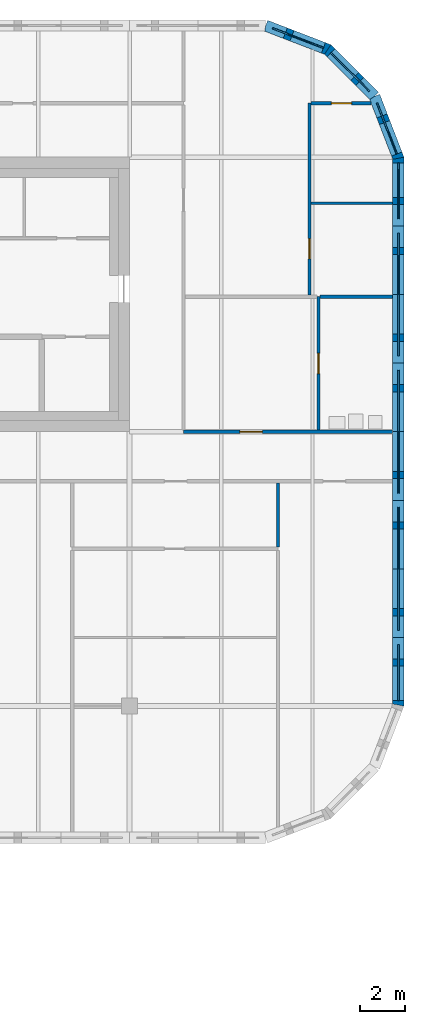
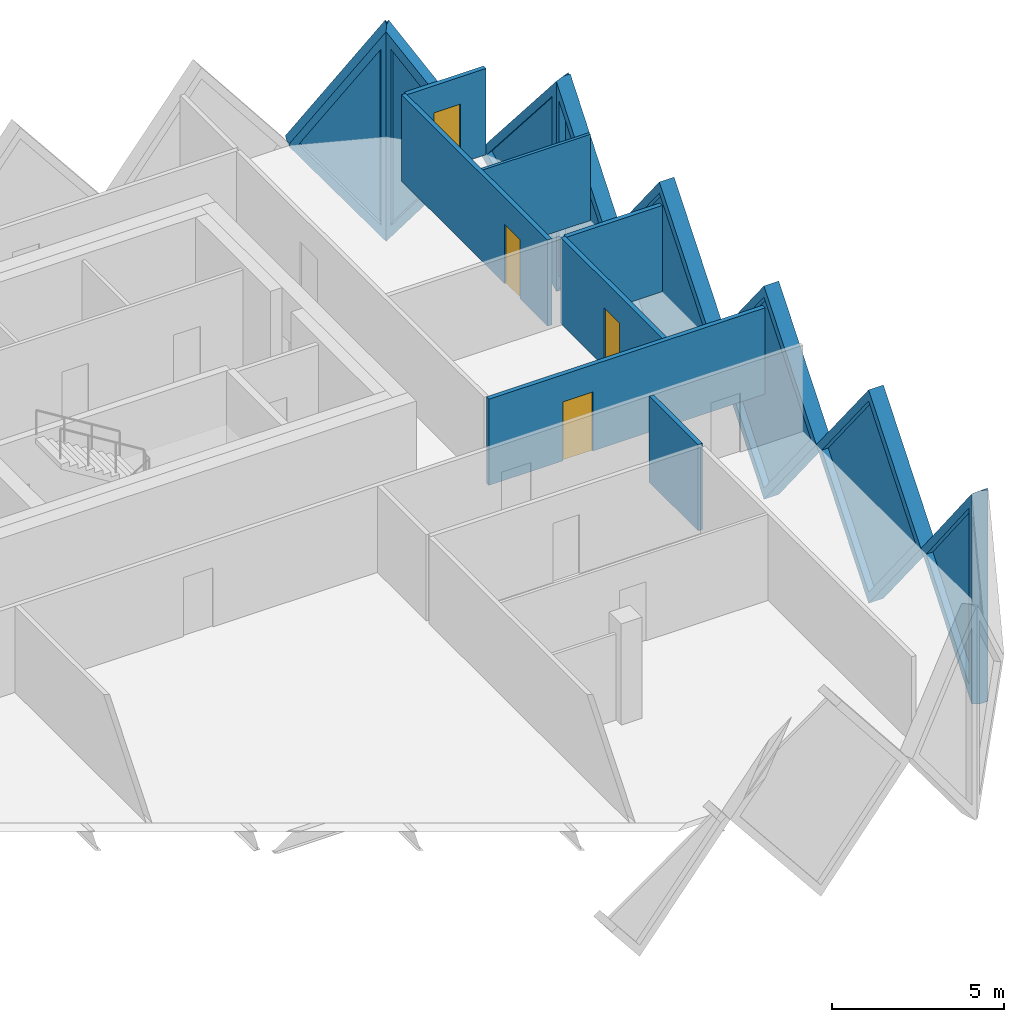
# One storey, part 15 of 19: 15 walls, 8 plates, 4 doors, 12 openings.
"""IFC4 building model written with IfcOpenShell, lengths in metres."""

import ifcopenshell
import ifcopenshell.guid

model = None  # the IFC model being written
_history = None  # IfcOwnerHistory: only IFC2X3 demands one
_inside = {}  # id of a spatial element -> (the spatial element, [elements in it])
_under = {}  # id of a project, library or spatial element -> (it, [spatial elements below it])
_declared = {}  # id of a project -> (the project, [libraries it declares])
_typed = {}  # id of a type object -> (the type object, [elements of that type])
_made_of = {}  # id of a material, layer set ... -> (it, [elements and type objects made of it])


def new_model(schema):
    """Start an empty IFC model of exactly this schema.

    Asked for "IFC4X3", IfcOpenShell would pick the latest addendum, in which some entities
    have other attributes; the version numbers below select the first issue.
    IFC2X3 requires an IfcOwnerHistory on every rooted entity: one is made here for all.
    """
    global model, _history
    if schema == "IFC4X3":
        model = ifcopenshell.file(schema_version=(4, 3, 0, 0))
    else:
        model = ifcopenshell.file(schema=schema)
    _inside.clear()
    _under.clear()
    _declared.clear()
    _typed.clear()
    _made_of.clear()
    _history = None
    if model.schema == "IFC2X3":
        org = make("IfcOrganization", Name="unknown")
        user = make(
            "IfcPersonAndOrganization",
            ThePerson=make("IfcPerson", FamilyName="unknown"),
            TheOrganization=org,
        )
        app = make(
            "IfcApplication",
            ApplicationDeveloper=org,
            Version="unknown",
            ApplicationFullName="unknown",
            ApplicationIdentifier="unknown",
        )
        _history = make(
            "IfcOwnerHistory",
            OwningUser=user,
            OwningApplication=app,
            ChangeAction="ADDED",
            CreationDate=0,
        )
    return model


def make(cls, **values):
    """One entity of the class cls with the attributes given. An attribute that is None is left unset."""
    return model.create_entity(
        cls, **{name: value for name, value in values.items() if value is not None}
    )


def rooted(cls, **values):
    """An entity with a GlobalId (a new one), such as an element, a storey or a relation."""
    return make(cls, GlobalId=ifcopenshell.guid.new(), OwnerHistory=_history, **values)


def si_unit(unit_type, name, prefix=None):
    """IfcSIUnit, for example si_unit("LENGTHUNIT", "METRE", prefix="MILLI")."""
    return make("IfcSIUnit", UnitType=unit_type, Prefix=prefix, Name=name)


def assignment(units):
    """IfcUnitAssignment: the units of a project."""
    return None if units is None else make("IfcUnitAssignment", Units=units)


def point(xyz):
    """IfcCartesianPoint."""
    return None if xyz is None else make("IfcCartesianPoint", Coordinates=xyz)


def direction(xyz):
    """IfcDirection."""
    return None if xyz is None else make("IfcDirection", DirectionRatios=xyz)


def frame(location, z_axis=None, x_axis=None):
    """IfcAxis2Placement3D, a coordinate frame: its origin and axes. An axis left out is left unset."""
    return make(
        "IfcAxis2Placement3D",
        Location=point(location),
        Axis=direction(z_axis),
        RefDirection=direction(x_axis),
    )


def frame_2d(location, x_axis=None):
    """IfcAxis2Placement2D, a coordinate frame in the plane: its origin and x axis."""
    return make(
        "IfcAxis2Placement2D", Location=point(location), RefDirection=direction(x_axis)
    )


def origin():
    """The frame at (0, 0, 0) with its axes left unset."""
    return frame((0.0, 0.0, 0.0))


def place(relative_to, where):
    """IfcLocalPlacement: puts the frame where relative to a parent placement (None: the world)."""
    return make(
        "IfcLocalPlacement", PlacementRelTo=relative_to, RelativePlacement=where
    )


def context(
    kind, dimensions, precision=None, world=None, true_north=None, identifier=None
):
    """IfcGeometricRepresentationContext, for example the 3D "Model" context."""
    return make(
        "IfcGeometricRepresentationContext",
        ContextIdentifier=identifier,
        ContextType=kind,
        CoordinateSpaceDimension=dimensions,
        Precision=precision,
        WorldCoordinateSystem=world,
        TrueNorth=true_north,
    )


def subcontext(parent, identifier, kind, view, scale=None):
    """IfcGeometricRepresentationSubContext, for example "Body" below "Model"."""
    return make(
        "IfcGeometricRepresentationSubContext",
        ContextIdentifier=identifier,
        ContextType=kind,
        ParentContext=parent,
        TargetScale=scale,
        TargetView=view,
    )


def project(units=None, contexts=None):
    """IfcProject with its units and contexts."""
    return rooted(
        "IfcProject",
        Name="project",
        RepresentationContexts=contexts,
        UnitsInContext=assignment(units),
    )


def spatial(cls, under=None, at=None, **own):
    """A site, building, storey or space (cls), placed at a placement, below another one or the project."""
    s = rooted(cls, ObjectPlacement=at, **own)
    if under is not None:
        _under.setdefault(under.id(), (under, []))[1].append(s)
    return s


def polyline(points):
    """IfcPolyline through the points."""
    return make("IfcPolyline", Points=[point(p) for p in points])


def profile(cls, at=None, kind="AREA", **sizes):
    """A parametric profile (cls). Its sizes go by their IFC names, for example OverallWidth=200.0."""
    return make(cls, ProfileType=kind, Position=at, **sizes)


def rectangle(**sizes):
    """IfcRectangleProfileDef."""
    return profile("IfcRectangleProfileDef", **sizes)


def outline(outer, holes=None, kind="AREA"):
    """IfcArbitraryClosedProfileDef: a profile drawn as a closed curve; with holes, ...WithVoids."""
    if holes is None:
        return make("IfcArbitraryClosedProfileDef", ProfileType=kind, OuterCurve=outer)
    return make(
        "IfcArbitraryProfileDefWithVoids",
        ProfileType=kind,
        OuterCurve=outer,
        InnerCurves=holes,
    )


def extrude(swept, where, along, depth):
    """IfcExtrudedAreaSolid: the profile swept, set in the frame where, extruded along a direction by depth."""
    return make(
        "IfcExtrudedAreaSolid",
        SweptArea=swept,
        Position=where,
        ExtrudedDirection=direction(along),
        Depth=depth,
    )


def faces_of(points, faces, orient=None, outer=None):
    """IfcFace entities. A face is a list of loops; a loop is a list of indices into points, from 0.

    orient and outer hold one flag for each loop. By default every Orientation is true, the
    first loop of a face is its IfcFaceOuterBound and the others are IfcFaceBound.
    """
    made = []
    for i, loops in enumerate(faces):
        bounds = []
        for j, loop in enumerate(loops):
            is_outer = j == 0 if outer is None else outer[i][j]
            bounds.append(
                make(
                    "IfcFaceOuterBound" if is_outer else "IfcFaceBound",
                    Bound=make("IfcPolyLoop", Polygon=[points[k] for k in loop]),
                    Orientation=True if orient is None else orient[i][j],
                )
            )
        made.append(make("IfcFace", Bounds=bounds))
    return made


def faceted_brep(points, faces, orient=None, outer=None, voids=None):
    """IfcFacetedBrep: a solid bounded by flat faces; with voids (closed shells), ...WithVoids."""
    shared = [point(p) for p in points]
    hull = make("IfcClosedShell", CfsFaces=faces_of(shared, faces, orient, outer))
    if voids is None:
        return make("IfcFacetedBrep", Outer=hull)
    return make(
        "IfcFacetedBrepWithVoids",
        Outer=hull,
        Voids=[
            make(cls, CfsFaces=faces_of(shared, fs, o, b)) for cls, fs, o, b in voids
        ],
    )


def shape(context_of_items, identifier, shape_type, items):
    """IfcShapeRepresentation: the items that make up one representation, for example the "Body"."""
    return make(
        "IfcShapeRepresentation",
        ContextOfItems=context_of_items,
        RepresentationIdentifier=identifier,
        RepresentationType=shape_type,
        Items=items,
    )


def source(mapping_origin, context_of_items, identifier, shape_type, items):
    """IfcRepresentationMap: a shape defined once, which mapped items show again and again."""
    return make(
        "IfcRepresentationMap",
        MappingOrigin=mapping_origin,
        MappedRepresentation=shape(context_of_items, identifier, shape_type, items),
    )


def transform(
    local_origin,
    x_axis=None,
    y_axis=None,
    z_axis=None,
    scale=None,
    scale2=None,
    scale3=None,
    uniform=True,
):
    """IfcCartesianTransformationOperator3D, or its non-uniform kind. x_axis, y_axis, z_axis: its Axis1, 2, 3."""
    if uniform:
        return make(
            "IfcCartesianTransformationOperator3D",
            Axis1=direction(x_axis),
            Axis2=direction(y_axis),
            LocalOrigin=point(local_origin),
            Scale=scale,
            Axis3=direction(z_axis),
        )
    return make(
        "IfcCartesianTransformationOperator3DnonUniform",
        Axis1=direction(x_axis),
        Axis2=direction(y_axis),
        LocalOrigin=point(local_origin),
        Scale=scale,
        Axis3=direction(z_axis),
        Scale2=scale2,
        Scale3=scale3,
    )


def mapped(mapping_source, mapping_target):
    """IfcMappedItem: shows the shape of a source again, moved by a transform."""
    return make(
        "IfcMappedItem", MappingSource=mapping_source, MappingTarget=mapping_target
    )


def material(Name=None, Category=None):
    """IfcMaterial."""
    return make("IfcMaterial", Name=Name, Category=Category)


def layer(
    of_material, thickness, ventilated=None, Name=None, Category=None, Priority=None
):
    """IfcMaterialLayer: one layer of a wall or slab, of a material (None: an air gap)."""
    return make(
        "IfcMaterialLayer",
        Material=of_material,
        LayerThickness=thickness,
        IsVentilated=ventilated,
        Name=Name,
        Category=Category,
        Priority=Priority,
    )


def layer_set(layers, Name=None):
    """IfcMaterialLayerSet."""
    return make("IfcMaterialLayerSet", MaterialLayers=layers, LayerSetName=Name)


def made_of(thing, what):
    """Note that an element or type object is made of a material, layer set ...; save() writes the relation."""
    if what is not None:
        _made_of.setdefault(what.id(), (what, []))[1].append(thing)
    return thing


def type_object(cls, material=None, **own):
    """A type object (cls), such as IfcWallType, which elements share."""
    return made_of(rooted(cls, **own), material)


def element(
    cls,
    number,
    at=None,
    inside=None,
    cuts=None,
    type_object=None,
    material=None,
    context=None,
    identifier="Body",
    shape_type=None,
    held_by="IfcProductDefinitionShape",
    body=None,
    shapes=None,
    **own,
):
    """One element of the class cls, such as IfcWall. Its Tag is "e" and its number.

    at: its placement. inside: the storey or other place that contains it. cuts: it is an
    opening in that element (IfcRelVoidsElement). A single representation is given by context,
    identifier, shape_type and body (its items); several are given by shapes. held_by: the class
    of the entity that holds the representations. save() writes the other relations.
    """
    e = rooted(cls, Tag="e%d" % number, ObjectPlacement=at, **own)
    if body is not None:
        shapes = [shape(context, identifier, shape_type, body)]
    if shapes is not None:
        e.Representation = make(held_by, Representations=shapes)
    if inside is not None:
        _inside.setdefault(inside.id(), (inside, []))[1].append(e)
    if cuts is not None:
        rooted(
            "IfcRelVoidsElement", RelatingBuildingElement=cuts, RelatedOpeningElement=e
        )
    if type_object is not None:
        _typed.setdefault(type_object.id(), (type_object, []))[1].append(e)
    return made_of(e, material)


def fill(opening, filler):
    """IfcRelFillsElement: the door or window that sits in an opening."""
    return rooted(
        "IfcRelFillsElement",
        RelatingOpeningElement=opening,
        RelatedBuildingElement=filler,
    )


def aggregate(whole, parts):
    """IfcRelAggregates: a whole, such as a stair, and the parts it consists of."""
    return rooted("IfcRelAggregates", RelatingObject=whole, RelatedObjects=parts)


def save(model, path):
    """Write the relations noted so far, then the file.

    IfcRelAggregates (storeys below a building ...), IfcRelContainedInSpatialStructure (elements
    in a storey), IfcRelDefinesByType, IfcRelAssociatesMaterial and IfcRelDeclares: one each for
    every whole, place, type object, material and project.
    """
    for whole, parts in _under.values():
        aggregate(whole, parts)
    for where, things in _inside.values():
        rooted(
            "IfcRelContainedInSpatialStructure",
            RelatedElements=things,
            RelatingStructure=where,
        )
    for kind, things in _typed.values():
        rooted("IfcRelDefinesByType", RelatedObjects=things, RelatingType=kind)
    for what, things in _made_of.values():
        rooted("IfcRelAssociatesMaterial", RelatedObjects=things, RelatingMaterial=what)
    for by, libraries in _declared.values():
        rooted("IfcRelDeclares", RelatingContext=by, RelatedDefinitions=libraries)
    model.write(path)


model = new_model("IFC4")

# Units and contexts
model_context = context("Model", 3, precision=1e-05, world=origin(), true_north=direction((0.0, 1.0)))
body_context = subcontext(model_context, "Body", "Model", "MODEL_VIEW")
ifc_project = project(units=[si_unit("LENGTHUNIT", "METRE"), si_unit("AREAUNIT", "SQUARE_METRE"), si_unit("VOLUMEUNIT", "CUBIC_METRE"), si_unit("PLANEANGLEUNIT", "RADIAN"), si_unit("MASSUNIT", "GRAM", prefix="KILO")], contexts=[model_context])

# Site, building, storey
site_placement = place(None, origin())
site = spatial("IfcSite", under=ifc_project, at=site_placement, CompositionType="ELEMENT")
building_placement = place(site_placement, origin())
building = spatial("IfcBuilding", under=site, at=building_placement, Name="Tessera Gate Towers", CompositionType="ELEMENT")
storey_placement = place(building_placement, frame((0.0, 0.0, 80.0)))
storey = spatial("IfcBuildingStorey", under=building, at=storey_placement, Name="L19", CompositionType="ELEMENT", Elevation=80.0)

# Wall, opening, door
ifc_material_1 = material(Name="Gypsum board on steel studs, mineral wool", Category="steel")
ifc_layer_1 = layer(ifc_material_1, 0.14990234375)
ifc_layer_set_1 = layer_set([ifc_layer_1], Name="CORRIDOR WALL 150")
wall_type_1 = type_object("IfcWallType", Name="CORRIDOR WALL 150", PredefinedType="PARTITIONING", material=ifc_layer_set_1)
wall_1_placement = place(storey_placement, frame((124.39990234375, 36.60009765625, 0.0), z_axis=(0.0, 0.0, 1.0), x_axis=(1.0, 0.0, 0.0)))
wall_1 = element("IfcWall", 1, at=wall_1_placement, inside=storey, type_object=wall_type_1, Name="T2-L19-PW-014", PredefinedType="PARTITIONING", context=body_context, shape_type="SweptSolid", body=[
    extrude(rectangle(XDim=9.300048828125, YDim=0.14990234375, at=frame_2d((4.64990234375, 0.0))), origin(), (0.0, 0.0, 1.0), 3.06689453125),
])
shared_shape_1 = source(origin(), body_context, "Body", "SweptSolid", [
    extrude(rectangle(XDim=1.0, YDim=2.10009765625, at=frame_2d((0.5, 1.050048828125))), frame((0.0, 0.0849609375, 0.0), z_axis=(0.0, -1.0, 0.0), x_axis=(1.0, 0.0, 0.0)), (0.0, 0.0, 1.0), 0.169921875),
])
opening_1_placement = place(wall_1_placement, frame((2.5, 0.0, 0.0)))
opening_1 = element("IfcOpeningElement", 2, at=opening_1_placement, cuts=wall_1, Name="Opening D2100FD60-B08-09", PredefinedType="OPENING", context=body_context, shape_type="MappedRepresentation", body=[
    mapped(shared_shape_1, transform((0.0, 0.0, 0.0), scale=1.0)),
])
ifc_material_2 = material(Name="Timber door leaf in steel frame", Category="steel")
door_type_1 = type_object("IfcDoorType", Name="TENANCY ENTRANCE DOOR 1000 FD60", OperationType="NOTDEFINED", PredefinedType="DOOR", material=ifc_material_2)
shared_shape_2 = source(origin(), body_context, "Body", "SweptSolid", [
    extrude(rectangle(XDim=1.0, YDim=2.10009765625, at=frame_2d((0.5, 1.050048828125))), frame((0.0, 0.02490234375, 0.0), z_axis=(0.0, -1.0, 0.0), x_axis=(1.0, 0.0, 0.0)), (0.0, 0.0, 1.0), 0.050048828125),
])
door_1_placement = place(opening_1_placement, origin())
door_1 = element("IfcDoor", 3, at=door_1_placement, inside=storey, type_object=door_type_1, Name="T2-L19-PD-017", OperationType="SINGLE_SWING_LEFT", OverallHeight=2.10009765625, OverallWidth=1.0, PredefinedType="DOOR", context=body_context, shape_type="MappedRepresentation", body=[
    mapped(shared_shape_2, transform((0.0, 0.0, 0.0), scale=1.0)),
])
fill(opening_1, door_1)

# Walls
ifc_material_3 = material(Name="Gypsum board on steel studs", Category="steel")
ifc_layer_2 = layer(ifc_material_3, 0.10009765625)
ifc_layer_set_2 = layer_set([ifc_layer_2], Name="PARTITION 100")
wall_type_2 = type_object("IfcWallType", Name="PARTITION 100", PredefinedType="PARTITIONING", material=ifc_layer_set_2)
wall_2_placement = place(storey_placement, frame((130.075927734375, 46.7548828125, 0.0), z_axis=(0.0, 0.0, 1.0), x_axis=(1.0, 0.0, 0.0)))
element("IfcWall", 4, at=wall_2_placement, inside=storey, type_object=wall_type_2, Name="T2-L19-PW-024", PredefinedType="PARTITIONING", context=body_context, shape_type="SweptSolid", body=[
    extrude(rectangle(XDim=3.6240234375, YDim=0.10009765625, at=frame_2d((1.81201171875, 0.0))), origin(), (0.0, 0.0, 1.0), 3.06689453125),
])
ifc_material_4 = material(Name="Gypsum board on steel studs, mineral wool", Category="steel")
ifc_layer_3 = layer(ifc_material_4, 0.14990234375)
ifc_layer_set_3 = layer_set([ifc_layer_3], Name="TENANCY WALL 150")
wall_type_3 = type_object("IfcWallType", Name="TENANCY WALL 150", PredefinedType="PARTITIONING", material=ifc_layer_set_3)
wall_3_placement = place(storey_placement, frame((128.60009765625, 31.47607421875, 0.0), z_axis=(0.0, 0.0, 1.0), x_axis=(0.0, 1.0, 0.0)))
element("IfcWall", 5, at=wall_3_placement, inside=storey, type_object=wall_type_3, Name="T2-L19-PW-010", PredefinedType="PARTITIONING", context=body_context, shape_type="SweptSolid", body=[
    extrude(rectangle(XDim=2.847900390625, YDim=0.14990234375, at=frame_2d((1.423828125, 0.0))), origin(), (0.0, 0.0, 1.0), 3.06689453125),
])

# Wall, opening, door
wall_4_placement = place(storey_placement, frame((130.39990234375, 42.60009765625, 0.0), z_axis=(0.0, 0.0, 1.0), x_axis=(0.0, -1.0, 0.0)))
wall_4 = element("IfcWall", 6, at=wall_4_placement, inside=storey, type_object=wall_type_3, Name="T2-L19-PW-017", PredefinedType="PARTITIONING", context=body_context, shape_type="SweptSolid", body=[
    extrude(rectangle(XDim=5.924072265625, YDim=0.14990234375, at=frame_2d((2.9619140625, 0.0))), origin(), (0.0, 0.0, 1.0), 3.06689453125),
])
shared_shape_3 = source(origin(), body_context, "Body", "SweptSolid", [
    extrude(rectangle(XDim=0.89990234375, YDim=2.10009765625, at=frame_2d((0.449951171875, 1.050048828125))), frame((0.0, 0.0849609375, 0.0), z_axis=(0.0, -1.0, 0.0), x_axis=(1.0, 0.0, 0.0)), (0.0, 0.0, 1.0), 0.169921875),
])
opening_2_placement = place(wall_4_placement, frame((2.52392578125, 0.0, 0.0)))
opening_2 = element("IfcOpeningElement", 7, at=opening_2_placement, cuts=wall_4, Name="Opening D190-B08-05", PredefinedType="OPENING", context=body_context, shape_type="MappedRepresentation", body=[
    mapped(shared_shape_3, transform((0.0, 0.0, 0.0), scale=1.0)),
])
ifc_material_5 = material(Name="Timber door leaf in steel frame", Category="steel")
door_type_2 = type_object("IfcDoorType", Name="INTERNAL DOOR 900 NOT RATED", OperationType="NOTDEFINED", PredefinedType="DOOR", material=ifc_material_5)
shared_shape_4 = source(origin(), body_context, "Body", "SweptSolid", [
    extrude(rectangle(XDim=0.89990234375, YDim=2.10009765625, at=frame_2d((0.449951171875, 1.050048828125))), frame((0.0, 0.02490234375, 0.0), z_axis=(0.0, -1.0, 0.0), x_axis=(1.0, 0.0, 0.0)), (0.0, 0.0, 1.0), 0.050048828125),
])
door_2_placement = place(opening_2_placement, origin())
door_2 = element("IfcDoor", 8, at=door_2_placement, inside=storey, type_object=door_type_2, Name="T2-L19-PD-006", OperationType="SINGLE_SWING_RIGHT", OverallHeight=2.10009765625, OverallWidth=0.89990234375, PredefinedType="DOOR", context=body_context, shape_type="MappedRepresentation", body=[
    mapped(shared_shape_4, transform((0.0, 0.0, 0.0), scale=1.0)),
])
fill(opening_2, door_2)

# Wall
wall_5_placement = place(storey_placement, frame((130.47607421875, 42.60009765625, 0.0), z_axis=(0.0, 0.0, 1.0), x_axis=(1.0, 0.0, 0.0)))
element("IfcWall", 9, at=wall_5_placement, inside=storey, type_object=wall_type_3, Name="T2-L19-PW-021", PredefinedType="PARTITIONING", context=body_context, shape_type="SweptSolid", body=[
    extrude(rectangle(XDim=3.223876953125, YDim=0.14990234375, at=frame_2d((1.61181640625, 0.0))), origin(), (0.0, 0.0, 1.0), 3.06689453125),
])

# Wall, opening, door
wall_6_placement = place(storey_placement, frame((130.0, 51.199951171875, 0.0), z_axis=(0.0, 0.0, 1.0), x_axis=(0.0, -1.0, 0.0)))
wall_6 = element("IfcWall", 10, at=wall_6_placement, inside=storey, type_object=wall_type_3, Name="T2-L19-PW-022", PredefinedType="PARTITIONING", context=body_context, shape_type="SweptSolid", body=[
    extrude(rectangle(XDim=8.52392578125, YDim=0.14990234375, at=frame_2d((4.261962890625, 0.0))), origin(), (0.0, 0.0, 1.0), 3.06689453125),
])
opening_3_placement = place(wall_6_placement, frame((6.02392578125, 0.0, 0.0)))
opening_3 = element("IfcOpeningElement", 11, at=opening_3_placement, cuts=wall_6, Name="Opening D190-B08-01", PredefinedType="OPENING", context=body_context, shape_type="MappedRepresentation", body=[
    mapped(shared_shape_3, transform((0.0, 0.0, 0.0), scale=1.0)),
])
door_3_placement = place(opening_3_placement, origin())
door_3 = element("IfcDoor", 12, at=door_3_placement, inside=storey, type_object=door_type_2, Name="T2-L19-PD-001", OperationType="SINGLE_SWING_RIGHT", OverallHeight=2.10009765625, OverallWidth=0.89990234375, PredefinedType="DOOR", context=body_context, shape_type="MappedRepresentation", body=[
    mapped(shared_shape_4, transform((0.0, 0.0, 0.0), scale=1.0)),
])
fill(opening_3, door_3)

wall_7_placement = place(storey_placement, frame((132.73828125, 51.199951171875, 0.0), z_axis=(0.0, 0.0, 1.0), x_axis=(-1.0, 0.0, 0.0)))
wall_7 = element("IfcWall", 13, at=wall_7_placement, inside=storey, type_object=wall_type_3, Name="T2-L19-PW-029", PredefinedType="PARTITIONING", context=body_context, shape_type="SweptSolid", body=[
    extrude(rectangle(XDim=2.662353515625, YDim=0.14990234375, at=frame_2d((1.3310546875, 0.0))), origin(), (0.0, 0.0, 1.0), 3.06689453125),
])
opening_4_placement = place(wall_7_placement, frame((0.8623046875, 0.0, 0.0)))
opening_4 = element("IfcOpeningElement", 14, at=opening_4_placement, cuts=wall_7, Name="Opening D190-B08-06", PredefinedType="OPENING", context=body_context, shape_type="MappedRepresentation", body=[
    mapped(shared_shape_3, transform((0.0, 0.0, 0.0), scale=1.0)),
])
door_4_placement = place(opening_4_placement, origin())
door_4 = element("IfcDoor", 15, at=door_4_placement, inside=storey, type_object=door_type_2, Name="T2-L19-PD-008", OperationType="SINGLE_SWING_RIGHT", OverallHeight=2.10009765625, OverallWidth=0.89990234375, PredefinedType="DOOR", context=body_context, shape_type="MappedRepresentation", body=[
    mapped(shared_shape_4, transform((0.0, 0.0, 0.0), scale=1.0)),
])
fill(opening_4, door_4)

# Wall, opening, plate
ifc_material_6 = material(Name="Precast concrete C60/75 white", Category="concrete")
ifc_layer_4 = layer(ifc_material_6, 0.5)
ifc_layer_set_4 = layer_set([ifc_layer_4], Name="TS1 tessera")
wall_type_4 = type_object("IfcWallType", Name="TS1 tessera", PredefinedType="SOLIDWALL", material=ifc_layer_set_4)
shared_shape_5 = source(origin(), body_context, "Body", "Brep", [
    faceted_brep([(3.050048828125, -0.25, 0.0), (6.099853515625, -0.25, 3.7998046875), (6.099853515625, -0.25, 3.80029296875), (3.050048828125, -0.25, 7.60009765625), (0.0, -0.25, 3.800048828125), (0.0, 0.25, 3.800048828125), (3.050048828125, 0.25, 7.60009765625), (6.099853515625, 0.25, 3.80029296875), (6.099853515625, 0.25, 3.7998046875), (3.050048828125, 0.25, 0.0)], [[[0, 1, 2, 3, 4]], [[5, 6, 7, 8, 9]], [[9, 8, 1, 0]], [[7, 6, 3, 2]], [[6, 5, 4, 3]], [[5, 9, 0, 4]], [[1, 8, 7, 2]]]),
])
wall_8_placement = place(storey_placement, frame((133.949951171875, 33.550048828125, -3.800048828125), z_axis=(0.0, 0.0, 1.0), x_axis=(0.0, 1.0, 0.0)))
wall_8 = element("IfcWall", 16, at=wall_8_placement, inside=storey, type_object=wall_type_4, Name="Precast tessera T2 TS1-0223", PredefinedType="SOLIDWALL", context=body_context, shape_type="MappedRepresentation", body=[
    mapped(shared_shape_5, transform((0.0, 0.0, 0.0), scale=1.0)),
])
shared_shape_6 = source(origin(), body_context, "Body", "SweptSolid", [
    extrude(outline(polyline([(3.050048828125, 0.3994140625), (5.779541015625, 3.800048828125), (3.050048828125, 7.20068359375), (0.320556640625, 3.800048828125), (3.050048828125, 0.3994140625)])), frame((0.0, 0.260009765625, 0.0), z_axis=(0.0, -1.0, 0.0), x_axis=(1.0, 0.0, 0.0)), (0.0, 0.0, 1.0), 0.52001953125),
])
opening_5_placement = place(wall_8_placement, origin())
opening_5 = element("IfcOpeningElement", 17, at=opening_5_placement, cuts=wall_8, Name="Opening T2-PL2-0419", PredefinedType="OPENING", context=body_context, shape_type="MappedRepresentation", body=[
    mapped(shared_shape_6, transform((0.0, 0.0, 0.0), scale=1.0)),
])
ifc_material_7 = material(Name="Low-e laminated glass", Category="glass")
ifc_layer_5 = layer(ifc_material_7, 0.06005859375)
ifc_layer_set_5 = layer_set([ifc_layer_5], Name="PL2 rhombic pane")
plate_type = type_object("IfcPlateType", Name="PL2 rhombic pane", PredefinedType="SHEET", material=ifc_layer_set_5)
shared_shape_7 = source(origin(), body_context, "Body", "SweptSolid", [
    extrude(outline(polyline([(3.050048828125, 0.3994140625), (5.779541015625, 3.800048828125), (3.050048828125, 7.20068359375), (0.320556640625, 3.800048828125), (3.050048828125, 0.3994140625)])), frame((0.0, 0.030029296875, 0.0), z_axis=(0.0, -1.0, 0.0), x_axis=(1.0, 0.0, 0.0)), (0.0, 0.0, 1.0), 0.06005859375),
])
plate_1_placement = place(opening_5_placement, origin())
plate_1 = element("IfcPlate", 18, at=plate_1_placement, inside=storey, type_object=plate_type, Name="Glass pane T2 PL2-0419", PredefinedType="SHEET", context=body_context, shape_type="MappedRepresentation", body=[
    mapped(shared_shape_7, transform((0.0, 0.0, 0.0), scale=1.0)),
])
fill(opening_5, plate_1)

shared_shape_8 = source(origin(), body_context, "Body", "SweptSolid", [
    extrude(outline(polyline([(3.050048828125, 0.0), (6.10009765625, 3.800048828125), (3.050048828125, 7.60009765625), (0.0, 3.800048828125), (3.050048828125, 0.0)])), frame((0.0, 0.25, 0.0), z_axis=(0.0, -1.0, 0.0), x_axis=(1.0, 0.0, 0.0)), (0.0, 0.0, 1.0), 0.5),
])
wall_9_placement = place(storey_placement, frame((133.949951171875, 27.449951171875, -3.800048828125), z_axis=(0.0, 0.0, 1.0), x_axis=(0.0, 1.0, 0.0)))
wall_9 = element("IfcWall", 19, at=wall_9_placement, inside=storey, type_object=wall_type_4, Name="Precast tessera T2 TS1-0222", PredefinedType="SOLIDWALL", context=body_context, shape_type="MappedRepresentation", body=[
    mapped(shared_shape_8, transform((0.0, 0.0, 0.0), scale=1.0)),
])
opening_6_placement = place(wall_9_placement, origin())
opening_6 = element("IfcOpeningElement", 20, at=opening_6_placement, cuts=wall_9, Name="Opening T2-PL2-0418", PredefinedType="OPENING", context=body_context, shape_type="MappedRepresentation", body=[
    mapped(shared_shape_6, transform((0.0, 0.0, 0.0), scale=1.0)),
])
plate_2_placement = place(opening_6_placement, origin())
plate_2 = element("IfcPlate", 21, at=plate_2_placement, inside=storey, type_object=plate_type, Name="Glass pane T2 PL2-0418", PredefinedType="SHEET", context=body_context, shape_type="MappedRepresentation", body=[
    mapped(shared_shape_7, transform((0.0, 0.0, 0.0), scale=1.0)),
])
fill(opening_6, plate_2)

wall_10_placement = place(storey_placement, frame((133.949951171875, 39.64990234375, -3.800048828125), z_axis=(0.0, 0.0, 1.0), x_axis=(0.0, 1.0, 0.0)))
wall_10 = element("IfcWall", 22, at=wall_10_placement, inside=storey, type_object=wall_type_4, Name="Precast tessera T2 TS1-0224", PredefinedType="SOLIDWALL", context=body_context, shape_type="MappedRepresentation", body=[
    mapped(shared_shape_8, transform((0.0, 0.0, 0.0), scale=1.0)),
])
opening_7_placement = place(wall_10_placement, origin())
opening_7 = element("IfcOpeningElement", 23, at=opening_7_placement, cuts=wall_10, Name="Opening T2-PL2-0420", PredefinedType="OPENING", context=body_context, shape_type="MappedRepresentation", body=[
    mapped(shared_shape_6, transform((0.0, 0.0, 0.0), scale=1.0)),
])
plate_3_placement = place(opening_7_placement, origin())
plate_3 = element("IfcPlate", 24, at=plate_3_placement, inside=storey, type_object=plate_type, Name="Glass pane T2 PL2-0420", PredefinedType="SHEET", context=body_context, shape_type="MappedRepresentation", body=[
    mapped(shared_shape_7, transform((0.0, 0.0, 0.0), scale=1.0)),
])
fill(opening_7, plate_3)

ifc_material_8 = material(Name="Precast concrete C60/75 white", Category="concrete")
ifc_layer_6 = layer(ifc_material_8, 0.5)
ifc_layer_set_6 = layer_set([ifc_layer_6], Name="TS3 corner tessera")
wall_type_5 = type_object("IfcWallType", Name="TS3 corner tessera", PredefinedType="SOLIDWALL", material=ifc_layer_set_6)
shared_shape_9 = source(origin(), body_context, "Body", "Brep", [
    faceted_brep([(0.046630859375, -0.25, 0.0), (3.050048828125, -0.25, 3.800048828125), (0.046630859375, -0.25, 7.60009765625), (0.0, -0.25, 7.5400390625), (0.0, -0.25, 0.06005859375), (0.09326171875, 0.25, 7.541259765625), (3.050048828125, 0.25, 3.800048828125), (0.09326171875, 0.25, 0.058837890625), (0.046630859375, 0.0, 0.0), (0.046630859375, 0.0, 7.60009765625)], [[[0, 1, 2, 3, 4]], [[5, 6, 7]], [[7, 6, 1, 0, 8]], [[6, 5, 9, 2, 1]], [[3, 2, 9]], [[8, 0, 4]], [[7, 8, 4, 3, 9, 5]]]),
])
wall_11_placement = place(storey_placement, frame((133.949951171875, 24.39990234375, -3.800048828125), z_axis=(0.0, 0.0, 1.0), x_axis=(0.0, 1.0, 0.0)))
wall_11 = element("IfcWall", 25, at=wall_11_placement, inside=storey, type_object=wall_type_5, Name="Precast corner tessera T2 TS3-0276", PredefinedType="SOLIDWALL", context=body_context, shape_type="MappedRepresentation", body=[
    mapped(shared_shape_9, transform((0.0, 0.0, 0.0), scale=1.0)),
])
shared_shape_10 = source(origin(), body_context, "Body", "SweptSolid", [
    extrude(outline(polyline([(0.24658203125, 0.65625), (2.7314453125, 3.800048828125), (0.24658203125, 6.94384765625), (0.24658203125, 0.65625)])), frame((0.0, 0.260009765625, 0.0), z_axis=(0.0, -1.0, 0.0), x_axis=(1.0, 0.0, 0.0)), (0.0, 0.0, 1.0), 0.52001953125),
])
opening_8_placement = place(wall_11_placement, origin())
opening_8 = element("IfcOpeningElement", 26, at=opening_8_placement, cuts=wall_11, Name="Opening T2-PL2-0417", PredefinedType="OPENING", context=body_context, shape_type="MappedRepresentation", body=[
    mapped(shared_shape_10, transform((0.0, 0.0, 0.0), scale=1.0)),
])
shared_shape_11 = source(origin(), body_context, "Body", "SweptSolid", [
    extrude(outline(polyline([(0.24658203125, 0.65625), (2.7314453125, 3.800048828125), (0.24658203125, 6.94384765625), (0.24658203125, 0.65625)])), frame((0.0, 0.030029296875, 0.0), z_axis=(0.0, -1.0, 0.0), x_axis=(1.0, 0.0, 0.0)), (0.0, 0.0, 1.0), 0.06005859375),
])
plate_4_placement = place(opening_8_placement, origin())
plate_4 = element("IfcPlate", 27, at=plate_4_placement, inside=storey, type_object=plate_type, Name="Glass pane T2 PL2-0417", PredefinedType="SHEET", context=body_context, shape_type="MappedRepresentation", body=[
    mapped(shared_shape_11, transform((0.0, 0.0, 0.0), scale=1.0)),
])
fill(opening_8, plate_4)

shared_shape_12 = source(origin(), body_context, "Body", "Brep", [
    faceted_brep([(3.00341796875, -0.25, 0.0), (3.050048828125, -0.25, 0.06005859375), (3.050048828125, -0.25, 7.5400390625), (3.00341796875, -0.25, 7.60009765625), (0.0, -0.25, 3.800048828125), (0.0, 0.25, 3.800048828125), (2.956787109375, 0.25, 7.541259765625), (2.956787109375, 0.25, 0.058837890625), (3.00341796875, 0.000244140625, 0.0), (3.00341796875, 0.000244140625, 7.60009765625)], [[[0, 1, 2, 3, 4]], [[5, 6, 7]], [[1, 0, 8]], [[9, 3, 2]], [[6, 5, 4, 3, 9]], [[5, 7, 8, 0, 4]], [[1, 8, 7, 6, 9, 2]]]),
])
wall_12_placement = place(storey_placement, frame((133.949951171875, 45.75, -3.800048828125), z_axis=(0.0, 0.0, 1.0), x_axis=(0.0, 1.0, 0.0)))
wall_12 = element("IfcWall", 28, at=wall_12_placement, inside=storey, type_object=wall_type_5, Name="Precast corner tessera T2 TS3-0277", PredefinedType="SOLIDWALL", context=body_context, shape_type="MappedRepresentation", body=[
    mapped(shared_shape_12, transform((0.0, 0.0, 0.0), scale=1.0)),
])
shared_shape_13 = source(origin(), body_context, "Body", "SweptSolid", [
    extrude(outline(polyline([(2.803466796875, 6.94384765625), (0.318603515625, 3.800048828125), (2.803466796875, 0.65625), (2.803466796875, 6.94384765625)])), frame((0.0, 0.260009765625, 0.0), z_axis=(0.0, -1.0, 0.0), x_axis=(1.0, 0.0, 0.0)), (0.0, 0.0, 1.0), 0.52001953125),
])
opening_9_placement = place(wall_12_placement, origin())
opening_9 = element("IfcOpeningElement", 29, at=opening_9_placement, cuts=wall_12, Name="Opening T2-PL2-0421", PredefinedType="OPENING", context=body_context, shape_type="MappedRepresentation", body=[
    mapped(shared_shape_13, transform((0.0, 0.0, 0.0), scale=1.0)),
])
shared_shape_14 = source(origin(), body_context, "Body", "SweptSolid", [
    extrude(outline(polyline([(2.803466796875, 6.94384765625), (0.318603515625, 3.800048828125), (2.803466796875, 0.65625), (2.803466796875, 6.94384765625)])), frame((0.0, 0.030029296875, 0.0), z_axis=(0.0, -1.0, 0.0), x_axis=(1.0, 0.0, 0.0)), (0.0, 0.0, 1.0), 0.06005859375),
])
plate_5_placement = place(opening_9_placement, origin())
plate_5 = element("IfcPlate", 30, at=plate_5_placement, inside=storey, type_object=plate_type, Name="Glass pane T2 PL2-0421", PredefinedType="SHEET", context=body_context, shape_type="MappedRepresentation", body=[
    mapped(shared_shape_14, transform((0.0, 0.0, 0.0), scale=1.0)),
])
fill(opening_9, plate_5)

shared_shape_15 = source(origin(), body_context, "Body", "Brep", [
    faceted_brep([(0.046630859375, -0.25, 0.0), (2.9970703125, -0.25, 3.800048828125), (0.046630859375, -0.25, 7.60009765625), (0.0, -0.25, 7.541259765625), (0.0, -0.25, 0.058837890625), (0.09326171875, 0.25, 7.5400390625), (2.9443359375, 0.25, 3.8681640625), (2.9443359375, 0.25, 3.73193359375), (0.09326171875, 0.25, 0.06005859375), (2.9970703125, 0.00048828125, 3.800048828125), (0.046630859375, 0.0, 0.0), (0.046630859375, 0.0, 7.60009765625)], [[[0, 1, 2, 3, 4]], [[5, 6, 7, 8]], [[8, 7, 9, 1, 0, 10]], [[6, 5, 11, 2, 1, 9]], [[3, 2, 11]], [[10, 0, 4]], [[8, 10, 4, 3, 11, 5]], [[9, 7, 6]]]),
])
wall_13_placement = place(storey_placement, frame((133.966796875, 48.7099609375, -3.800048828125), z_axis=(0.0, 0.0, 1.0), x_axis=(-0.359901446078, 0.932990326376, 0.0)))
wall_13 = element("IfcWall", 31, at=wall_13_placement, inside=storey, type_object=wall_type_5, Name="Precast corner tessera T2 TS3-0278", PredefinedType="SOLIDWALL", context=body_context, shape_type="MappedRepresentation", body=[
    mapped(shared_shape_15, transform((0.0, 0.0, 0.0), scale=1.0)),
])
shared_shape_16 = source(origin(), body_context, "Body", "SweptSolid", [
    extrude(outline(polyline([(0.24658203125, 0.665283203125), (2.6806640625, 3.800048828125), (0.24658203125, 6.934814453125), (0.24658203125, 0.665283203125)])), frame((0.0, 0.260009765625, 0.0), z_axis=(0.0, -1.0, 0.0), x_axis=(1.0, 0.0, 0.0)), (0.0, 0.0, 1.0), 0.52001953125),
])
opening_10_placement = place(wall_13_placement, origin())
opening_10 = element("IfcOpeningElement", 32, at=opening_10_placement, cuts=wall_13, Name="Opening T2-PL2-0422", PredefinedType="OPENING", context=body_context, shape_type="MappedRepresentation", body=[
    mapped(shared_shape_16, transform((0.0, 0.0, 0.0), scale=1.0)),
])
shared_shape_17 = source(origin(), body_context, "Body", "SweptSolid", [
    extrude(outline(polyline([(0.24658203125, 0.665283203125), (2.6806640625, 3.800048828125), (0.24658203125, 6.934814453125), (0.24658203125, 0.665283203125)])), frame((0.0, 0.030029296875, 0.0), z_axis=(0.0, -1.0, 0.0), x_axis=(1.0, 0.0, 0.0)), (0.0, 0.0, 1.0), 0.06005859375),
])
plate_6_placement = place(opening_10_placement, origin())
plate_6 = element("IfcPlate", 33, at=plate_6_placement, inside=storey, type_object=plate_type, Name="Glass pane T2 PL2-0422", PredefinedType="SHEET", context=body_context, shape_type="MappedRepresentation", body=[
    mapped(shared_shape_17, transform((0.0, 0.0, 0.0), scale=1.0)),
])
fill(opening_10, plate_6)

shared_shape_18 = source(origin(), body_context, "Body", "Brep", [
    faceted_brep([(0.052978515625, -0.25, 0.0), (3.00341796875, -0.25, 3.800048828125), (0.052978515625, -0.25, 7.60009765625), (0.0, -0.25, 7.53173828125), (0.0, -0.25, 0.068359375), (0.10595703125, 0.25, 7.531982421875), (2.95703125, 0.25, 3.85986328125), (2.95703125, 0.25, 3.740234375), (0.10595703125, 0.25, 0.068115234375), (3.00341796875, 0.00048828125, 3.800048828125), (0.052978515625, 0.0, 0.0), (0.052978515625, 0.0, 7.60009765625)], [[[0, 1, 2, 3, 4]], [[5, 6, 7, 8]], [[8, 7, 9, 1, 0, 10]], [[6, 5, 11, 2, 1, 9]], [[3, 2, 11]], [[10, 0, 4]], [[8, 10, 4, 3, 11, 5]], [[9, 7, 6]]]),
])
wall_14_placement = place(storey_placement, frame((130.855712890625, 53.569091796875, -3.800048828125), z_axis=(0.0, 0.0, 1.0), x_axis=(-0.933007896601, 0.359855894603, 0.0)))
wall_14 = element("IfcWall", 34, at=wall_14_placement, inside=storey, type_object=wall_type_5, Name="Precast corner tessera T2 TS3-0280", PredefinedType="SOLIDWALL", context=body_context, shape_type="MappedRepresentation", body=[
    mapped(shared_shape_18, transform((0.0, 0.0, 0.0), scale=1.0)),
])
shared_shape_19 = source(origin(), body_context, "Body", "SweptSolid", [
    extrude(outline(polyline([(0.2529296875, 0.665283203125), (2.68701171875, 3.800048828125), (0.2529296875, 6.934814453125), (0.2529296875, 0.665283203125)])), frame((0.0, 0.260009765625, 0.0), z_axis=(0.0, -1.0, 0.0), x_axis=(1.0, 0.0, 0.0)), (0.0, 0.0, 1.0), 0.52001953125),
])
opening_11_placement = place(wall_14_placement, origin())
opening_11 = element("IfcOpeningElement", 35, at=opening_11_placement, cuts=wall_14, Name="Opening T2-PL2-0424", PredefinedType="OPENING", context=body_context, shape_type="MappedRepresentation", body=[
    mapped(shared_shape_19, transform((0.0, 0.0, 0.0), scale=1.0)),
])
shared_shape_20 = source(origin(), body_context, "Body", "SweptSolid", [
    extrude(outline(polyline([(0.2529296875, 0.665283203125), (2.68701171875, 3.800048828125), (0.2529296875, 6.934814453125), (0.2529296875, 0.665283203125)])), frame((0.0, 0.030029296875, 0.0), z_axis=(0.0, -1.0, 0.0), x_axis=(1.0, 0.0, 0.0)), (0.0, 0.0, 1.0), 0.06005859375),
])
plate_7_placement = place(opening_11_placement, origin())
plate_7 = element("IfcPlate", 36, at=plate_7_placement, inside=storey, type_object=plate_type, Name="Glass pane T2 PL2-0424", PredefinedType="SHEET", context=body_context, shape_type="MappedRepresentation", body=[
    mapped(shared_shape_20, transform((0.0, 0.0, 0.0), scale=1.0)),
])
fill(opening_11, plate_7)

shared_shape_21 = source(origin(), body_context, "Body", "Brep", [
    faceted_brep([(2.944091796875, -0.25, 0.0), (2.9970703125, -0.25, 0.068115234375), (2.9970703125, -0.25, 7.531982421875), (2.944091796875, -0.25, 7.60009765625), (0.0, -0.25, 3.800048828125), (0.052978515625, 0.25, 3.868408203125), (2.89111328125, 0.25, 7.531982421875), (2.89111328125, 0.25, 0.068115234375), (0.052978515625, 0.25, 3.731689453125), (2.944091796875, 0.000244140625, 0.0), (2.944091796875, 0.000244140625, 7.60009765625), (0.0, 0.0, 3.800048828125)], [[[0, 1, 2, 3, 4]], [[5, 6, 7, 8]], [[1, 0, 9]], [[10, 3, 2]], [[6, 5, 11, 4, 3, 10]], [[8, 7, 9, 0, 4, 11]], [[8, 11, 5]], [[1, 9, 7, 6, 10, 2]]]),
])
wall_15_placement = place(storey_placement, frame((132.88818359375, 51.50634765625, -3.800048828125), z_axis=(0.0, 0.0, 1.0), x_axis=(-0.707147509625, 0.707066050402, 0.0)))
wall_15 = element("IfcWall", 37, at=wall_15_placement, inside=storey, type_object=wall_type_5, Name="Precast corner tessera T2 TS3-0279", PredefinedType="SOLIDWALL", context=body_context, shape_type="MappedRepresentation", body=[
    mapped(shared_shape_21, transform((0.0, 0.0, 0.0), scale=1.0)),
])
shared_shape_22 = source(origin(), body_context, "Body", "SweptSolid", [
    extrude(outline(polyline([(2.744140625, 6.933837890625), (0.316162109375, 3.800048828125), (2.744140625, 0.666259765625), (2.744140625, 6.933837890625)])), frame((0.0, 0.260009765625, 0.0), z_axis=(0.0, -1.0, 0.0), x_axis=(1.0, 0.0, 0.0)), (0.0, 0.0, 1.0), 0.52001953125),
])
opening_12_placement = place(wall_15_placement, origin())
opening_12 = element("IfcOpeningElement", 38, at=opening_12_placement, cuts=wall_15, Name="Opening T2-PL2-0423", PredefinedType="OPENING", context=body_context, shape_type="MappedRepresentation", body=[
    mapped(shared_shape_22, transform((0.0, 0.0, 0.0), scale=1.0)),
])
shared_shape_23 = source(origin(), body_context, "Body", "SweptSolid", [
    extrude(outline(polyline([(2.744140625, 6.933837890625), (0.316162109375, 3.800048828125), (2.744140625, 0.666259765625), (2.744140625, 6.933837890625)])), frame((0.0, 0.030029296875, 0.0), z_axis=(0.0, -1.0, 0.0), x_axis=(1.0, 0.0, 0.0)), (0.0, 0.0, 1.0), 0.06005859375),
])
plate_8_placement = place(opening_12_placement, origin())
plate_8 = element("IfcPlate", 39, at=plate_8_placement, inside=storey, type_object=plate_type, Name="Glass pane T2 PL2-0423", PredefinedType="SHEET", context=body_context, shape_type="MappedRepresentation", body=[
    mapped(shared_shape_23, transform((0.0, 0.0, 0.0), scale=1.0)),
])
fill(opening_12, plate_8)

save(model, "model.ifc")
